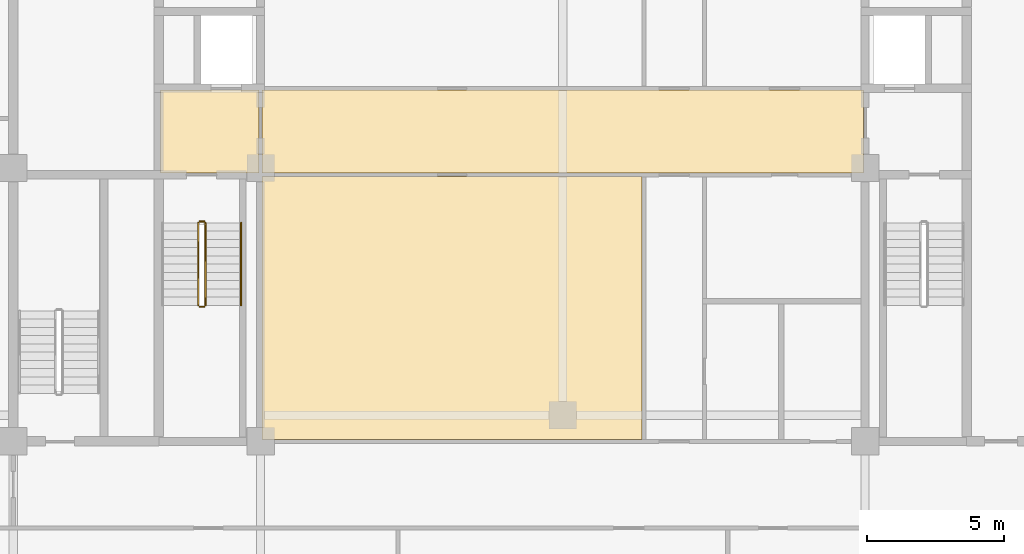
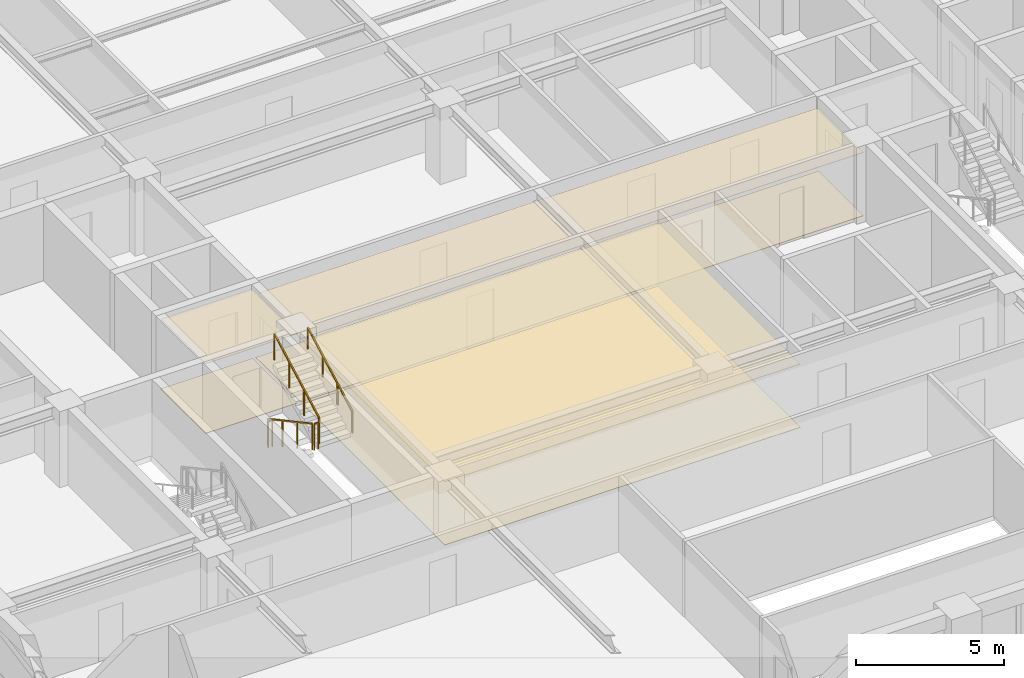
# One storey, part 15 of 17: 6 coverings, 5 railings.
"""IFC4 building model written with IfcOpenShell, lengths in metres."""

from ifc_helpers import new_model, si_unit, direction, frame, origin, origin_2d, place, context, subcontext, project, spatial, polyline, rectangle, outline, extrude, material, layer, layer_set, type_object, element, save


model = new_model("IFC4")

# Units and contexts
model_context = context("Model", 3, precision=1e-05, world=origin(), true_north=direction((0.0, 1.0)))
body_context = subcontext(model_context, "Body", "Model", "MODEL_VIEW")
ifc_project = project(units=[si_unit("LENGTHUNIT", "METRE"), si_unit("AREAUNIT", "SQUARE_METRE"), si_unit("VOLUMEUNIT", "CUBIC_METRE"), si_unit("PLANEANGLEUNIT", "RADIAN"), si_unit("MASSUNIT", "GRAM", prefix="KILO")], contexts=[model_context])

# Site, building, storey
site_placement = place(None, origin())
site = spatial("IfcSite", under=ifc_project, at=site_placement, CompositionType="ELEMENT")
building_placement = place(site_placement, origin())
building = spatial("IfcBuilding", under=site, at=building_placement, Name="Zulmaris Gate Convention Tower", CompositionType="ELEMENT")
storey_placement = place(building_placement, frame((0.0, 0.0, 149.909912109375)))
storey = spatial("IfcBuildingStorey", under=building, at=storey_placement, Name="L38", CompositionType="ELEMENT", Elevation=149.909912109375)

# Coverings
ifc_material_1 = material(Name="Mineral Fibre Acoustic Ceiling Tile")
ifc_layer_1 = layer(ifc_material_1, 0.02001953125, Name="Mineral Fibre Acoustic Ceiling Tile")
ifc_layer_set_1 = layer_set([ifc_layer_1], Name="Mineral Fibre Acoustic Ceiling Tile")
covering_type_1 = type_object("IfcCoveringType", Name="CLG-ACOUSTIC-600", PredefinedType="CEILING", material=ifc_layer_set_1)
covering_1_placement = place(storey_placement, frame((0.0, 0.0, 2.864990234375)))
element("IfcCovering", 1, at=covering_1_placement, inside=storey, type_object=covering_type_1, Name="CLG-L38-R03", PredefinedType="CEILING", context=body_context, shape_type="SweptSolid", body=[
    extrude(outline(polyline([(-14.639892578125, -0.18994140625), (-11.06005859375, -0.18994140625), (-11.06005859375, 2.840087890625), (-14.639892578125, 2.840087890625), (-14.639892578125, -0.18994140625)])), origin(), (0.0, 0.0, 1.0), 0.02001953125),
])
covering_2_placement = place(storey_placement, frame((0.0, 0.0, 2.60302734375)))
element("IfcCovering", 2, at=covering_2_placement, inside=storey, type_object=covering_type_1, Name="CLG-L38-R27", PredefinedType="CEILING", context=body_context, shape_type="SweptSolid", body=[
    extrude(outline(polyline([(-10.93994140625, -0.18994140625), (10.93994140625, -0.18994140625), (10.93994140625, 2.840087890625), (-10.93994140625, 2.840087890625), (-10.93994140625, -0.18994140625)])), origin(), (0.0, 0.0, 1.0), 0.02001953125),
])
covering_3_placement = place(storey_placement, frame((0.0, 0.0, 2.60302734375)))
element("IfcCovering", 3, at=covering_3_placement, inside=storey, type_object=covering_type_1, Name="CLG-L38-R40", PredefinedType="CEILING", context=body_context, shape_type="SweptSolid", body=[
    extrude(outline(polyline([(-10.93994140625, -9.889892578125), (2.889892578125, -9.889892578125), (2.889892578125, -0.31005859375), (-10.93994140625, -0.31005859375), (-10.93994140625, -9.889892578125)])), origin(), (0.0, 0.0, 1.0), 0.02001953125),
])
ifc_material_2 = material(Name="Woven Acoustic Wool Carpet Tile")
ifc_layer_2 = layer(ifc_material_2, 0.02001953125, Name="Woven Acoustic Wool Carpet Tile")
ifc_layer_set_2 = layer_set([ifc_layer_2], Name="Woven Acoustic Wool Carpet Tile")
covering_type_2 = type_object("IfcCoveringType", Name="FLR-CARPET-12", PredefinedType="FLOORING", material=ifc_layer_set_2)
covering_4_placement = place(storey_placement, origin())
element("IfcCovering", 4, at=covering_4_placement, inside=storey, type_object=covering_type_2, Name="FLR-L38-R03", PredefinedType="FLOORING", context=body_context, shape_type="SweptSolid", body=[
    extrude(outline(polyline([(-14.639892578125, -0.18994140625), (-11.06005859375, -0.18994140625), (-11.06005859375, 2.840087890625), (-14.639892578125, 2.840087890625), (-14.639892578125, -0.18994140625)])), origin(), (0.0, 0.0, 1.0), 0.02001953125),
])
covering_5_placement = place(storey_placement, origin())
element("IfcCovering", 5, at=covering_5_placement, inside=storey, type_object=covering_type_2, Name="FLR-L38-R27", PredefinedType="FLOORING", context=body_context, shape_type="SweptSolid", body=[
    extrude(outline(polyline([(-10.93994140625, -0.18994140625), (10.93994140625, -0.18994140625), (10.93994140625, 2.840087890625), (-10.93994140625, 2.840087890625), (-10.93994140625, -0.18994140625)])), origin(), (0.0, 0.0, 1.0), 0.02001953125),
])
covering_6_placement = place(storey_placement, origin())
element("IfcCovering", 6, at=covering_6_placement, inside=storey, type_object=covering_type_2, Name="FLR-L38-R40", PredefinedType="FLOORING", context=body_context, shape_type="SweptSolid", body=[
    extrude(outline(polyline([(-10.93994140625, -9.889892578125), (2.889892578125, -9.889892578125), (2.889892578125, -0.31005859375), (-10.93994140625, -0.31005859375), (-10.93994140625, -9.889892578125)])), origin(), (0.0, 0.0, 1.0), 0.02001953125),
])

# Railings
ifc_material_3 = material(Name="Painted Galvanised Steel", Category="steel")
railing_type_1 = type_object("IfcRailingType", Name="RL-STG-1150", PredefinedType="GUARDRAIL", material=ifc_material_3)
railing_1_placement = place(storey_placement, frame((-13.27001953125, -2.0, 0.162353515625)))
element("IfcRailing", 7, at=railing_1_placement, inside=storey, type_object=railing_type_1, Name="L38 ST-1 stair guard 1", PredefinedType="GUARDRAIL", context=body_context, shape_type="SweptSolid", body=[
    extrude(rectangle(XDim=0.048095703125, YDim=0.048095703125, at=origin_2d()), frame((0.0, 0.0, 1.076171875), z_axis=(0.0, -0.8795616155, 0.475784998228), x_axis=(1.0, 0.0, 0.0)), (0.0, 0.0, 1.0), 3.410888671875),
    extrude(rectangle(XDim=0.0419921875, YDim=0.0419921875, at=origin_2d()), origin(), (0.0, 0.0, 1.0), 1.052001953125),
    extrude(rectangle(XDim=0.0419921875, YDim=0.0419921875, at=origin_2d()), frame((0.0, -1.0, 0.541015625)), (0.0, 0.0, 1.0), 1.052001953125),
    extrude(rectangle(XDim=0.0419921875, YDim=0.0419921875, at=origin_2d()), frame((0.0, -2.0, 1.081787109375)), (0.0, 0.0, 1.0), 1.052001953125),
    extrude(rectangle(XDim=0.0419921875, YDim=0.0419921875, at=origin_2d()), frame((0.0, -3.0, 1.622802734375)), (0.0, 0.0, 1.0), 1.052001953125),
])
railing_2_placement = place(storey_placement, frame((-13.219970703125, -5.050048828125, 1.78515625)))
element("IfcRailing", 8, at=railing_2_placement, inside=storey, type_object=railing_type_1, Name="L38 ST-1 stair guard 2", PredefinedType="GUARDRAIL", context=body_context, shape_type="SweptSolid", body=[
    extrude(rectangle(XDim=0.048095703125, YDim=0.048095703125, at=origin_2d()), frame((0.0, 0.0, 1.076171875), z_axis=(1.0, 0.0, 0.0), x_axis=(0.0, 1.0, 0.0)), (0.0, 0.0, 1.0), 0.159912109375),
    extrude(rectangle(XDim=0.0419921875, YDim=0.0419921875, at=origin_2d()), origin(), (0.0, 0.0, 1.0), 1.052001953125),
    extrude(rectangle(XDim=0.0419921875, YDim=0.0419921875, at=origin_2d()), frame((0.159912109375, 0.0, 0.0)), (0.0, 0.0, 1.0), 1.052001953125),
])
railing_3_placement = place(storey_placement, frame((-13.010009765625, -5.0, 1.947265625)))
element("IfcRailing", 9, at=railing_3_placement, inside=storey, type_object=railing_type_1, Name="L38 ST-1 stair guard 3", PredefinedType="GUARDRAIL", context=body_context, shape_type="SweptSolid", body=[
    extrude(rectangle(XDim=0.048095703125, YDim=0.048095703125, at=origin_2d()), frame((0.0, 0.0, 1.076171875), z_axis=(0.0, 0.8795616155, 0.475784998228), x_axis=(-1.0, 0.0, 0.0)), (0.0, 0.0, 1.0), 3.410888671875),
    extrude(rectangle(XDim=0.0419921875, YDim=0.0419921875, at=origin_2d()), origin(), (0.0, 0.0, 1.0), 1.052001953125),
    extrude(rectangle(XDim=0.0419921875, YDim=0.0419921875, at=origin_2d()), frame((0.0, 1.0, 0.541015625)), (0.0, 0.0, 1.0), 1.052001953125),
    extrude(rectangle(XDim=0.0419921875, YDim=0.0419921875, at=origin_2d()), frame((0.0, 2.0, 1.081787109375)), (0.0, 0.0, 1.0), 1.052001953125),
    extrude(rectangle(XDim=0.0419921875, YDim=0.0419921875, at=origin_2d()), frame((0.0, 3.0, 1.622802734375)), (0.0, 0.0, 1.0), 1.052001953125),
])
railing_4_placement = place(storey_placement, frame((-13.219970703125, -1.949951171875, 0.0)))
element("IfcRailing", 10, at=railing_4_placement, inside=storey, type_object=railing_type_1, Name="L38 ST-1 stair guard 4", PredefinedType="GUARDRAIL", context=body_context, shape_type="SweptSolid", body=[
    extrude(rectangle(XDim=0.048095703125, YDim=0.048095703125, at=origin_2d()), frame((0.0, 0.0, 1.076171875), z_axis=(1.0, 0.0, 0.0), x_axis=(0.0, 1.0, 0.0)), (0.0, 0.0, 1.0), 0.159912109375),
    extrude(rectangle(XDim=0.0419921875, YDim=0.0419921875, at=origin_2d()), origin(), (0.0, 0.0, 1.0), 1.052001953125),
    extrude(rectangle(XDim=0.0419921875, YDim=0.0419921875, at=origin_2d()), frame((0.159912109375, 0.0, 0.0)), (0.0, 0.0, 1.0), 1.052001953125),
])
ifc_material_4 = material(Name="Brushed Stainless Steel", Category="steel")
railing_type_2 = type_object("IfcRailingType", Name="RL-STH-900", PredefinedType="HANDRAIL", material=ifc_material_4)
railing_5_placement = place(storey_placement, frame((-11.7099609375, -5.0, 1.947265625)))
element("IfcRailing", 11, at=railing_5_placement, inside=storey, type_object=railing_type_2, Name="L38 ST-1 stair handrail 2", PredefinedType="HANDRAIL", context=body_context, shape_type="SweptSolid", body=[
    extrude(rectangle(XDim=0.048095703125, YDim=0.048095703125, at=origin_2d()), frame((0.0, 0.0, 0.8759765625), z_axis=(0.0, 0.8795616155, 0.475784998228), x_axis=(-1.0, 0.0, 0.0)), (0.0, 0.0, 1.0), 3.410888671875),
    extrude(rectangle(XDim=0.0419921875, YDim=0.0419921875, at=origin_2d()), origin(), (0.0, 0.0, 1.0), 0.851806640625),
    extrude(rectangle(XDim=0.0419921875, YDim=0.0419921875, at=origin_2d()), frame((0.0, 1.0, 0.541015625)), (0.0, 0.0, 1.0), 0.851806640625),
    extrude(rectangle(XDim=0.0419921875, YDim=0.0419921875, at=origin_2d()), frame((0.0, 2.0, 1.081787109375)), (0.0, 0.0, 1.0), 0.851806640625),
    extrude(rectangle(XDim=0.0419921875, YDim=0.0419921875, at=origin_2d()), frame((0.0, 3.0, 1.622802734375)), (0.0, 0.0, 1.0), 0.851806640625),
])

save(model, "model.ifc")
